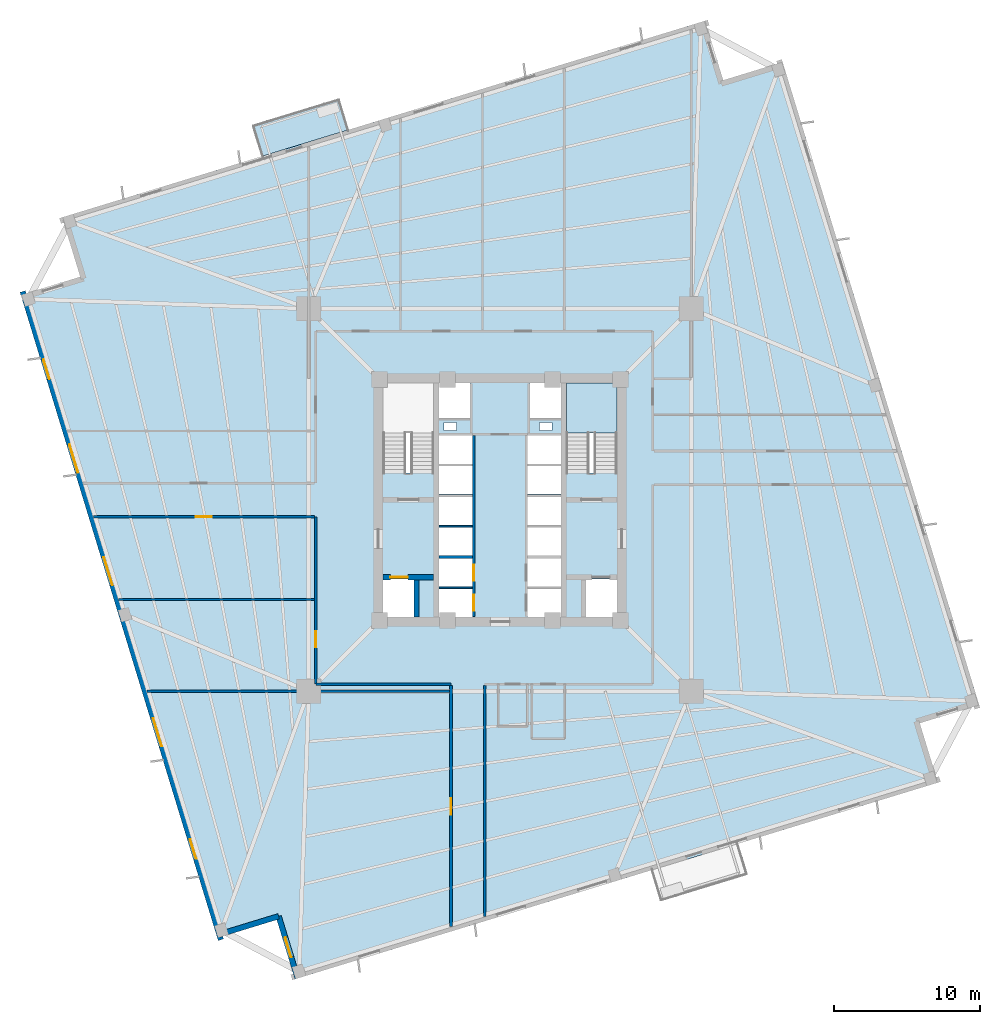
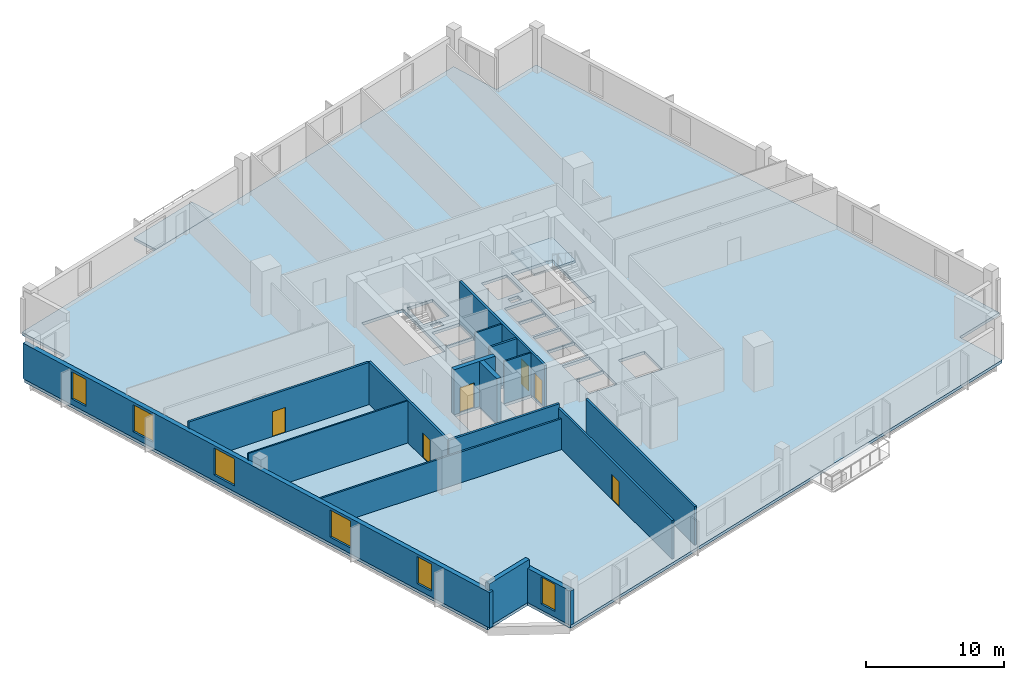
# One storey, part 2 of 8: 16 walls, 6 doors, 6 windows, 3 slabs, 12 openings, 1 element without a shape of its own.
"""IFC4 building model written with IfcOpenShell, lengths in metres."""

from ifc_helpers import new_model, si_unit, direction, frame, frame_2d, origin, place, context, subcontext, project, spatial, polyline, rectangle, outline, extrude, source, transform, mapped, material, layer, layer_set, type_object, element, fill, aggregate, save


model = new_model("IFC4")

# Units and contexts
model_context = context("Model", 3, precision=1e-05, world=origin(), true_north=direction((0.0, 1.0)))
body_context = subcontext(model_context, "Body", "Model", "MODEL_VIEW")
ifc_project = project(units=[si_unit("LENGTHUNIT", "METRE"), si_unit("AREAUNIT", "SQUARE_METRE"), si_unit("VOLUMEUNIT", "CUBIC_METRE"), si_unit("PLANEANGLEUNIT", "RADIAN"), si_unit("MASSUNIT", "GRAM", prefix="KILO"), si_unit("THERMODYNAMICTEMPERATUREUNIT", "KELVIN")], contexts=[model_context])

# Site, building, storey
site_placement = place(None, origin())
site = spatial("IfcSite", under=ifc_project, at=site_placement, CompositionType="ELEMENT")
building_placement = place(site_placement, origin())
building = spatial("IfcBuilding", under=site, at=building_placement, Name="Kosmvard Interchange Tower", CompositionType="ELEMENT")
storey_placement = place(building_placement, frame((0.0, 0.0, 87.199951171875)))
storey = spatial("IfcBuildingStorey", under=building, at=storey_placement, Name="L20", CompositionType="ELEMENT", Elevation=87.199951171875)

# Slab
ifc_material_1 = material(Name="Concrete C50/60", Category="concrete")
ifc_layer_1 = layer(ifc_material_1, 0.260009765625, Name="Concrete C50/60")
ifc_layer_set_1 = layer_set([ifc_layer_1], Name="Concrete C50/60")
slab_type_1 = type_object("IfcSlabType", Name="Mid-Rise Office Composite Slab 260 C50/60", PredefinedType="FLOOR", material=ifc_layer_set_1)
slab_1_placement = place(storey_placement, frame((0.0, 0.0, -0.260009765625)))
element("IfcSlab", 1, at=slab_1_placement, inside=storey, type_object=slab_type_1, Name="L20 Structural Floor Slab", PredefinedType="FLOOR", context=body_context, shape_type="SweptSolid", body=[
    extrude(outline(polyline([(-14.02783203125, -32.783935546875), (29.962158203125, -19.334716796875), (28.719482421875, -15.2705078125), (32.783935546875, -14.02783203125), (19.334716796875, 29.962158203125), (15.2705078125, 28.719482421875), (14.02783203125, 32.783935546875), (-29.962158203125, 19.334716796875), (-28.719482421875, 15.2705078125), (-32.783935546875, 14.02783203125), (-19.334716796875, -29.962158203125), (-15.2705078125, -28.719482421875), (-14.02783203125, -32.783935546875)]), holes=[polyline([(-8.0, 1.8349609375), (-4.5400390625, 1.8349609375), (-4.5400390625, 8.0), (-8.0, 8.0), (-8.0, 1.8349609375)]), polyline([(4.5400390625, 1.8349609375), (8.0, 1.8349609375), (8.0, 8.0), (4.5400390625, 8.0), (4.5400390625, 1.8349609375)]), polyline([(-8.0, -8.0), (-5.800048828125, -8.0), (-5.800048828125, -5.39990234375), (-8.0, -5.39990234375), (-8.0, -8.0)]), polyline([(5.800048828125, -8.0), (8.0, -8.0), (8.0, -5.39990234375), (5.800048828125, -5.39990234375), (5.800048828125, -8.0)]), polyline([(-4.179931640625, -8.0), (-1.8798828125, -8.0), (-1.8798828125, -6.06005859375), (-4.179931640625, -6.06005859375), (-4.179931640625, -8.0)]), polyline([(-4.179931640625, -5.93994140625), (-1.8798828125, -5.93994140625), (-1.8798828125, -4.0), (-4.179931640625, -4.0), (-4.179931640625, -5.93994140625)]), polyline([(1.8798828125, -8.0), (4.179931640625, -8.0), (4.179931640625, -6.06005859375), (1.8798828125, -6.06005859375), (1.8798828125, -8.0)]), polyline([(1.8798828125, -5.93994140625), (4.179931640625, -5.93994140625), (4.179931640625, -4.0), (1.8798828125, -4.0), (1.8798828125, -5.93994140625)]), polyline([(-4.179931640625, -3.800048828125), (-1.8798828125, -3.800048828125), (-1.8798828125, -1.860107421875), (-4.179931640625, -1.860107421875), (-4.179931640625, -3.800048828125)]), polyline([(-4.179931640625, -1.739990234375), (-1.8798828125, -1.739990234375), (-1.8798828125, 0.199951171875), (-4.179931640625, 0.199951171875), (-4.179931640625, -1.739990234375)]), polyline([(1.8798828125, -3.800048828125), (4.179931640625, -3.800048828125), (4.179931640625, -1.860107421875), (1.8798828125, -1.860107421875), (1.8798828125, -3.800048828125)]), polyline([(1.8798828125, -1.739990234375), (4.179931640625, -1.739990234375), (4.179931640625, 0.199951171875), (1.8798828125, 0.199951171875), (1.8798828125, -1.739990234375)]), polyline([(-4.179931640625, 0.39990234375), (-1.8798828125, 0.39990234375), (-1.8798828125, 2.340087890625), (-4.179931640625, 2.340087890625), (-4.179931640625, 0.39990234375)]), polyline([(-4.179931640625, 2.4599609375), (-1.8798828125, 2.4599609375), (-1.8798828125, 4.39990234375), (-4.179931640625, 4.39990234375), (-4.179931640625, 2.4599609375)]), polyline([(1.8798828125, 0.39990234375), (4.179931640625, 0.39990234375), (4.179931640625, 2.340087890625), (1.8798828125, 2.340087890625), (1.8798828125, 0.39990234375)]), polyline([(1.8798828125, 2.4599609375), (4.179931640625, 2.4599609375), (4.179931640625, 4.39990234375), (1.8798828125, 4.39990234375), (1.8798828125, 2.4599609375)]), polyline([(-4.179931640625, 5.60009765625), (-2.0400390625, 5.60009765625), (-2.0400390625, 8.0), (-4.179931640625, 8.0), (-4.179931640625, 5.60009765625)]), polyline([(2.0400390625, 5.60009765625), (4.179931640625, 5.60009765625), (4.179931640625, 8.0), (2.0400390625, 8.0), (2.0400390625, 5.60009765625)]), polyline([(-3.81494140625, 4.739990234375), (-2.965087890625, 4.739990234375), (-2.965087890625, 5.2900390625), (-3.81494140625, 5.2900390625), (-3.81494140625, 4.739990234375)]), polyline([(2.715087890625, 4.739990234375), (3.56494140625, 4.739990234375), (3.56494140625, 5.2900390625), (2.715087890625, 5.2900390625), (2.715087890625, 4.739990234375)])]), origin(), (0.0, 0.0, 1.0), 0.260009765625),
])

# Stair, slab
stair_type = type_object("IfcStairType", Name="Dog-Leg Core Exit Stair H4000 C50/60", PredefinedType="HALF_TURN_STAIR", material=ifc_material_1)
stair_placement = place(storey_placement, origin())
stair = element("IfcStair", 2, at=stair_placement, inside=storey, type_object=stair_type, Name="L20 Protected Exit Stair ST-2", PredefinedType="HALF_TURN_STAIR")
ifc_layer_2 = layer(ifc_material_1, 0.199951171875, Name="Concrete C50/60")
ifc_layer_set_2 = layer_set([ifc_layer_2], Name="Concrete C50/60")
slab_type_2 = type_object("IfcSlabType", Name="Stair Half-Landing Slab 200 C50/60", PredefinedType="LANDING", material=ifc_layer_set_2)
slab_2_placement = place(storey_placement, frame((0.0, 0.0, 1.800048828125)))
slab_2 = element("IfcSlab", 3, at=slab_2_placement, type_object=slab_type_2, Name="ST-2 landing 1", PredefinedType="LANDING", context=body_context, shape_type="SweptSolid", body=[
    extrude(outline(polyline([(8.0, 4.60009765625), (8.0, 8.0), (4.5400390625, 8.0), (4.5400390625, 4.60009765625), (8.0, 4.60009765625)])), origin(), (0.0, 0.0, 1.0), 0.199951171875),
])
aggregate(stair, [slab_2])

# Slab
ifc_layer_3 = layer(ifc_material_1, 0.22998046875, Name="Concrete C50/60")
ifc_layer_set_3 = layer_set([ifc_layer_3], Name="Concrete C50/60")
slab_type_3 = type_object("IfcSlabType", Name="Tree-Planter Cantilever Balcony Slab 230 C50/60", PredefinedType="FLOOR", material=ifc_layer_set_3)
slab_3_placement = place(storey_placement, frame((0.0, 0.0, -0.22998046875)))
element("IfcSlab", 4, at=slab_3_placement, inside=storey, type_object=slab_type_3, Name="L20 Outdoor Terrace Balcony Slab BAL-L20-NE", PredefinedType="FLOOR", context=body_context, shape_type="SweptSolid", body=[
    extrude(outline(polyline([(-16.286865234375, 23.515625), (-10.35791015625, 25.328369140625), (-11.001220703125, 27.43212890625), (-16.93017578125, 25.61962890625), (-16.286865234375, 23.515625)])), origin(), (0.0, 0.0, 1.0), 0.22998046875),
])

# Wall
ifc_material_2 = material(Name="Acoustic gypsum partition system")
ifc_layer_4 = layer(ifc_material_2, 0.14990234375, Name="Acoustic gypsum partition system")
ifc_layer_set_4 = layer_set([ifc_layer_4], Name="Acoustic gypsum partition system")
wall_type_1 = type_object("IfcWallType", Name="Acoustic Suite & Meeting Partition 150", PredefinedType="PARTITIONING", material=ifc_layer_set_4)
wall_1_placement = place(storey_placement, frame((-24.16650390625, -13.0810546875, 0.0), z_axis=(0.0, 0.0, 1.0), x_axis=(1.0, 0.0, 0.0)))
element("IfcWall", 5, at=wall_1_placement, inside=storey, type_object=wall_type_1, Name="L20 Room Partition 10.1", PredefinedType="PARTITIONING", context=body_context, shape_type="SweptSolid", body=[
    extrude(rectangle(XDim=20.721435546875, YDim=0.14990234375, at=frame_2d((10.36083984375, 0.0))), origin(), (0.0, 0.0, 1.0), 2.73193359375),
])

# Wall, openings, doors
ifc_material_3 = material(Name="Fire-rated gypsum partition system")
ifc_layer_5 = layer(ifc_material_3, 0.179931640625, Name="Fire-rated gypsum partition system")
ifc_layer_set_5 = layer_set([ifc_layer_5], Name="Fire-rated gypsum partition system")
wall_type_2 = type_object("IfcWallType", Name="Corridor & Hotel Compartment Partition 180", PredefinedType="PARTITIONING", material=ifc_layer_set_5)
wall_2_placement = place(storey_placement, frame((-1.7900390625, -7.97998046875, 0.0), z_axis=(0.0, 0.0, 1.0), x_axis=(0.0, 1.0, 0.0)))
wall_2 = element("IfcWall", 6, at=wall_2_placement, inside=storey, type_object=wall_type_2, Name="L20 West Lift Bank Front Wall", PredefinedType="PARTITIONING", context=body_context, shape_type="SweptSolid", body=[
    extrude(rectangle(XDim=12.3798828125, YDim=0.179931640625, at=frame_2d((6.18994140625, 0.0))), origin(), (0.0, 0.0, 1.0), 3.739990234375),
])
opening_1_placement = place(wall_2_placement, frame((0.39990234375, 0.0, 0.0)))
opening_1 = element("IfcOpeningElement", 7, at=opening_1_placement, cuts=wall_2, Name="Opening LD-PL-L1-L20", PredefinedType="OPENING", context=body_context, shape_type="SweptSolid", body=[
    extrude(rectangle(XDim=1.10009765625, YDim=2.199951171875, at=frame_2d((0.550048828125, 1.10009765625))), frame((0.0, 0.10009765625, 0.0), z_axis=(0.0, -1.0, 0.0), x_axis=(1.0, 0.0, 0.0)), (0.0, 0.0, 1.0), 0.199951171875),
])
opening_2_placement = place(wall_2_placement, frame((2.4599609375, 0.0, 0.0)))
opening_2 = element("IfcOpeningElement", 8, at=opening_2_placement, cuts=wall_2, Name="Opening LD-PL-L2-L20", PredefinedType="OPENING", context=body_context, shape_type="SweptSolid", body=[
    extrude(rectangle(XDim=1.10009765625, YDim=2.199951171875, at=frame_2d((0.550048828125, 1.10009765625))), frame((0.0, 0.10009765625, 0.0), z_axis=(0.0, -1.0, 0.0), x_axis=(1.0, 0.0, 0.0)), (0.0, 0.0, 1.0), 0.199951171875),
])
ifc_material_4 = material(Name="Brushed stainless steel sliding leaf", Category="steel")
door_type_1 = type_object("IfcDoorType", Name="Passenger Lift Sliding Landing Door 1100x2200 EI60", OperationType="DOUBLE_DOOR_SLIDING", PredefinedType="DOOR", material=ifc_material_4)
shared_shape_1 = source(origin(), body_context, "Body", "SweptSolid", [
    extrude(rectangle(XDim=1.10009765625, YDim=2.199951171875, at=frame_2d((0.550048828125, 1.10009765625))), frame((0.0, 0.02490234375, 0.0), z_axis=(0.0, -1.0, 0.0), x_axis=(1.0, 0.0, 0.0)), (0.0, 0.0, 1.0), 0.050048828125),
])
door_1_placement = place(opening_1_placement, frame((1.10009765625, 0.0, 0.0), z_axis=(0.0, 0.0, 1.0), x_axis=(-1.0, 0.0, 0.0)))
door_1 = element("IfcDoor", 9, at=door_1_placement, inside=storey, type_object=door_type_1, Name="Lift PL-L1 Landing Door L20", OperationType="DOUBLE_DOOR_SLIDING", OverallHeight=2.199951171875, OverallWidth=1.10009765625, PredefinedType="DOOR", context=body_context, shape_type="MappedRepresentation", body=[
    mapped(shared_shape_1, transform((0.0, 0.0, 0.0), scale=1.0)),
])
fill(opening_1, door_1)
door_2_placement = place(opening_2_placement, frame((1.10009765625, 0.0, 0.0), z_axis=(0.0, 0.0, 1.0), x_axis=(-1.0, 0.0, 0.0)))
door_2 = element("IfcDoor", 10, at=door_2_placement, inside=storey, type_object=door_type_1, Name="Lift PL-L2 Landing Door L20", OperationType="DOUBLE_DOOR_SLIDING", OverallHeight=2.199951171875, OverallWidth=1.10009765625, PredefinedType="DOOR", context=body_context, shape_type="MappedRepresentation", body=[
    mapped(shared_shape_1, transform((0.0, 0.0, 0.0), scale=1.0)),
])
fill(opening_2, door_2)

# Wall
wall_3_placement = place(storey_placement, frame((-12.60009765625, -12.60009765625, 0.0), z_axis=(0.0, 0.0, 1.0), x_axis=(1.0, 0.0, 0.0)))
element("IfcWall", 11, at=wall_3_placement, inside=storey, type_object=wall_type_2, Name="L20 Corridor Wall CSW", PredefinedType="PARTITIONING", context=body_context, shape_type="SweptSolid", body=[
    extrude(rectangle(XDim=9.25, YDim=0.179931640625, at=frame_2d((4.625, 0.0))), origin(), (0.0, 0.0, 1.0), 3.739990234375),
])

# Wall, opening, door
wall_4_placement = place(storey_placement, frame((-12.60009765625, -12.60009765625, 0.0), z_axis=(0.0, 0.0, 1.0), x_axis=(0.0, 1.0, 0.0)))
wall_4 = element("IfcWall", 12, at=wall_4_placement, inside=storey, type_object=wall_type_2, Name="L20 Corridor Wall CWS", PredefinedType="PARTITIONING", context=body_context, shape_type="SweptSolid", body=[
    extrude(rectangle(XDim=11.4501953125, YDim=0.179931640625, at=frame_2d((5.72509765625, 0.0))), origin(), (0.0, 0.0, 1.0), 3.739990234375),
])
opening_3_placement = place(wall_4_placement, frame((2.514404296875, 0.0, 0.0)))
opening_3 = element("IfcOpeningElement", 13, at=opening_3_placement, cuts=wall_4, Name="Opening L20-D13", PredefinedType="OPENING", context=body_context, shape_type="SweptSolid", body=[
    extrude(rectangle(XDim=1.10009765625, YDim=2.199951171875, at=frame_2d((0.550048828125, 1.10009765625))), frame((0.0, 0.10009765625, 0.0), z_axis=(0.0, -1.0, 0.0), x_axis=(1.0, 0.0, 0.0)), (0.0, 0.0, 1.0), 0.199951171875),
])
ifc_material_5 = material(Name="Engineered oak fire-rated timber", Category="wood")
door_type_2 = type_object("IfcDoorType", Name="Office Suite Entrance Door 1100x2200 FD30S", OperationType="NOTDEFINED", PredefinedType="DOOR", material=ifc_material_5)
door_3_placement = place(opening_3_placement, origin())
door_3 = element("IfcDoor", 14, at=door_3_placement, inside=storey, type_object=door_type_2, Name="L20 West Counsel Office 8 Door", OperationType="SINGLE_SWING_LEFT", OverallHeight=2.199951171875, OverallWidth=1.10009765625, PredefinedType="DOOR", context=body_context, shape_type="MappedRepresentation", body=[
    mapped(shared_shape_1, transform((0.0, 0.0, 0.0), scale=1.0)),
])
fill(opening_3, door_3)

wall_5_placement = place(storey_placement, frame((-27.814208984375, -1.14990234375, 0.0), z_axis=(0.0, 0.0, 1.0), x_axis=(1.0, 0.0, 0.0)))
wall_5 = element("IfcWall", 15, at=wall_5_placement, inside=storey, type_object=wall_type_2, Name="L20 Corridor Wall SWS", PredefinedType="PARTITIONING", context=body_context, shape_type="SweptSolid", body=[
    extrude(rectangle(XDim=15.1142578125, YDim=0.179931640625, at=frame_2d((7.55712890625, 0.0))), origin(), (0.0, 0.0, 1.0), 3.739990234375),
])
opening_4_placement = place(wall_5_placement, frame((7.007080078125, 0.0, 0.0)))
opening_4 = element("IfcOpeningElement", 16, at=opening_4_placement, cuts=wall_5, Name="Opening L20-D12", PredefinedType="OPENING", context=body_context, shape_type="SweptSolid", body=[
    extrude(rectangle(XDim=1.10009765625, YDim=2.199951171875, at=frame_2d((0.550048828125, 1.10009765625))), frame((0.0, 0.10009765625, 0.0), z_axis=(0.0, -1.0, 0.0), x_axis=(1.0, 0.0, 0.0)), (0.0, 0.0, 1.0), 0.199951171875),
])
door_4_placement = place(opening_4_placement, frame((1.10009765625, 0.0, 0.0), z_axis=(0.0, 0.0, 1.0), x_axis=(-1.0, 0.0, 0.0)))
door_4 = element("IfcDoor", 17, at=door_4_placement, inside=storey, type_object=door_type_2, Name="L20 Staff Breakout Pantry Door", OperationType="SINGLE_SWING_RIGHT", OverallHeight=2.199951171875, OverallWidth=1.10009765625, PredefinedType="DOOR", context=body_context, shape_type="MappedRepresentation", body=[
    mapped(shared_shape_1, transform((0.0, 0.0, 0.0), scale=1.0)),
])
fill(opening_4, door_4)

wall_6_placement = place(storey_placement, frame((-3.35009765625, -29.18994140625, 0.0), z_axis=(0.0, 0.0, 1.0), x_axis=(0.0, 1.0, 0.0)))
wall_6 = element("IfcWall", 18, at=wall_6_placement, inside=storey, type_object=wall_type_2, Name="L20 Corridor Wall SSW", PredefinedType="PARTITIONING", context=body_context, shape_type="SweptSolid", body=[
    extrude(rectangle(XDim=16.489990234375, YDim=0.179931640625, at=frame_2d((8.2451171875, 0.0))), origin(), (0.0, 0.0, 1.0), 3.41015625),
])
opening_5_placement = place(wall_6_placement, frame((7.6689453125, 0.0, 0.0)))
opening_5 = element("IfcOpeningElement", 19, at=opening_5_placement, cuts=wall_6, Name="Opening L20-D14", PredefinedType="OPENING", context=body_context, shape_type="SweptSolid", body=[
    extrude(rectangle(XDim=1.10009765625, YDim=2.199951171875, at=frame_2d((0.550048828125, 1.10009765625))), frame((0.0, 0.10009765625, 0.0), z_axis=(0.0, -1.0, 0.0), x_axis=(1.0, 0.0, 0.0)), (0.0, 0.0, 1.0), 0.199951171875),
])
door_5_placement = place(opening_5_placement, origin())
door_5 = element("IfcDoor", 20, at=door_5_placement, inside=storey, type_object=door_type_2, Name="L20 South-West Director Office Door", OperationType="SINGLE_SWING_RIGHT", OverallHeight=2.199951171875, OverallWidth=1.10009765625, PredefinedType="DOOR", context=body_context, shape_type="MappedRepresentation", body=[
    mapped(shared_shape_1, transform((0.0, 0.0, 0.0), scale=1.0)),
])
fill(opening_5, door_5)

# Wall
wall_7_placement = place(storey_placement, frame((-1.050048828125, -28.48681640625, 0.0), z_axis=(0.0, 0.0, 1.0), x_axis=(0.0, 1.0, 0.0)))
element("IfcWall", 21, at=wall_7_placement, inside=storey, type_object=wall_type_2, Name="L20 Corridor Wall SSE", PredefinedType="PARTITIONING", context=body_context, shape_type="SweptSolid", body=[
    extrude(rectangle(XDim=15.786865234375, YDim=0.179931640625, at=frame_2d((7.8935546875, 0.0))), origin(), (0.0, 0.0, 1.0), 3.41015625),
])

# Wall, openings, windows
ifc_material_6 = material(Name="Precast concrete C45/55", Category="concrete")
ifc_layer_6 = layer(ifc_material_6, 0.3798828125, Name="Precast concrete C45/55")
ifc_layer_set_6 = layer_set([ifc_layer_6], Name="Precast concrete C45/55")
wall_type_3 = type_object("IfcWallType", Name="Lower Tower Precast Pier Wall 380 C45/55", PredefinedType="STANDARD", material=ifc_layer_set_6)
wall_8_placement = place(storey_placement, frame((-32.65771484375, 14.26513671875, 0.0), z_axis=(0.0, 0.0, 1.0), x_axis=(0.292373127906, -0.956304320851, 0.0)))
wall_8 = element("IfcWall", 22, at=wall_8_placement, inside=storey, type_object=wall_type_3, Name="L20 Precast Facade Wall F-W", PredefinedType="STANDARD", context=body_context, shape_type="SweptSolid", body=[
    extrude(rectangle(XDim=46.380126953125, YDim=0.3798828125, at=frame_2d((23.18994140625, 0.0))), origin(), (0.0, 0.0, 1.0), 3.14013671875),
])
opening_6_placement = place(wall_8_placement, frame((4.865478515625, 0.0, 0.510009765625)))
opening_6 = element("IfcOpeningElement", 23, at=opening_6_placement, cuts=wall_8, Name="Opening L20-W15", PredefinedType="OPENING", context=body_context, shape_type="SweptSolid", body=[
    extrude(rectangle(XDim=1.39990234375, YDim=2.39990234375, at=frame_2d((0.699951171875, 1.199951171875))), frame((0.0, 0.199951171875, 0.0), z_axis=(0.0, -1.0, 0.0), x_axis=(1.0, 0.0, 0.0)), (0.0, 0.0, 1.0), 0.39990234375),
])
opening_7_placement = place(wall_8_placement, frame((10.9501953125, 0.0, 0.510009765625)))
opening_7 = element("IfcOpeningElement", 24, at=opening_7_placement, cuts=wall_8, Name="Opening L20-W16", PredefinedType="OPENING", context=body_context, shape_type="SweptSolid", body=[
    extrude(rectangle(XDim=2.0, YDim=2.39990234375, at=frame_2d((1.0, 1.199951171875))), frame((0.0, 0.199951171875, 0.0), z_axis=(0.0, -1.0, 0.0), x_axis=(1.0, 0.0, 0.0)), (0.0, 0.0, 1.0), 0.39990234375),
])
opening_8_placement = place(wall_8_placement, frame((19.012451171875, 0.0, 0.510009765625)))
opening_8 = element("IfcOpeningElement", 25, at=opening_8_placement, cuts=wall_8, Name="Opening L20-W17", PredefinedType="OPENING", context=body_context, shape_type="SweptSolid", body=[
    extrude(rectangle(XDim=2.0, YDim=2.39990234375, at=frame_2d((1.0, 1.199951171875))), frame((0.0, 0.199951171875, 0.0), z_axis=(0.0, -1.0, 0.0), x_axis=(1.0, 0.0, 0.0)), (0.0, 0.0, 1.0), 0.39990234375),
])
opening_9_placement = place(wall_8_placement, frame((30.538330078125, 0.0, 0.510009765625)))
opening_9 = element("IfcOpeningElement", 26, at=opening_9_placement, cuts=wall_8, Name="Opening L20-W18", PredefinedType="OPENING", context=body_context, shape_type="SweptSolid", body=[
    extrude(rectangle(XDim=2.0, YDim=2.39990234375, at=frame_2d((1.0, 1.199951171875))), frame((0.0, 0.199951171875, 0.0), z_axis=(0.0, -1.0, 0.0), x_axis=(1.0, 0.0, 0.0)), (0.0, 0.0, 1.0), 0.39990234375),
])
opening_10_placement = place(wall_8_placement, frame((39.186767578125, 0.0, 0.510009765625)))
opening_10 = element("IfcOpeningElement", 27, at=opening_10_placement, cuts=wall_8, Name="Opening L20-W19", PredefinedType="OPENING", context=body_context, shape_type="SweptSolid", body=[
    extrude(rectangle(XDim=1.39990234375, YDim=2.39990234375, at=frame_2d((0.699951171875, 1.199951171875))), frame((0.0, 0.199951171875, 0.0), z_axis=(0.0, -1.0, 0.0), x_axis=(1.0, 0.0, 0.0)), (0.0, 0.0, 1.0), 0.39990234375),
])
ifc_material_7 = material(Name="Low-E solar-control double glazing", Category="glass")
window_type_1 = type_object("IfcWindowType", Name="Notched Corner Feature Window 1400x2400", PartitioningType="SINGLE_PANEL", PredefinedType="WINDOW", material=ifc_material_7)
shared_shape_2 = source(origin(), body_context, "Body", "SweptSolid", [
    extrude(rectangle(XDim=1.39990234375, YDim=2.39990234375, at=frame_2d((0.699951171875, 1.199951171875))), frame((0.0, 0.030029296875, 0.0), z_axis=(0.0, -1.0, 0.0), x_axis=(1.0, 0.0, 0.0)), (0.0, 0.0, 1.0), 0.06005859375),
])
window_1_placement = place(opening_6_placement, origin())
window_1 = element("IfcWindow", 28, at=window_1_placement, inside=storey, type_object=window_type_1, Name="L20 Facade Punched Window 15", OverallHeight=2.39990234375, OverallWidth=1.39990234375, PartitioningType="SINGLE_PANEL", PredefinedType="WINDOW", context=body_context, shape_type="MappedRepresentation", body=[
    mapped(shared_shape_2, transform((0.0, 0.0, 0.0), scale=1.0)),
])
fill(opening_6, window_1)
window_2_placement = place(opening_10_placement, origin())
window_2 = element("IfcWindow", 29, at=window_2_placement, inside=storey, type_object=window_type_1, Name="L20 Facade Punched Window 19", OverallHeight=2.39990234375, OverallWidth=1.39990234375, PartitioningType="SINGLE_PANEL", PredefinedType="WINDOW", context=body_context, shape_type="MappedRepresentation", body=[
    mapped(shared_shape_2, transform((0.0, 0.0, 0.0), scale=1.0)),
])
fill(opening_10, window_2)
window_type_2 = type_object("IfcWindowType", Name="Zone 2 Office Punched Window 2000x2400", PartitioningType="SINGLE_PANEL", PredefinedType="WINDOW", material=ifc_material_7)
shared_shape_3 = source(origin(), body_context, "Body", "SweptSolid", [
    extrude(rectangle(XDim=2.0, YDim=2.39990234375, at=frame_2d((1.0, 1.199951171875))), frame((0.0, 0.030029296875, 0.0), z_axis=(0.0, -1.0, 0.0), x_axis=(1.0, 0.0, 0.0)), (0.0, 0.0, 1.0), 0.06005859375),
])
window_3_placement = place(opening_7_placement, origin())
window_3 = element("IfcWindow", 30, at=window_3_placement, inside=storey, type_object=window_type_2, Name="L20 Facade Punched Window 16", OverallHeight=2.39990234375, OverallWidth=2.0, PartitioningType="SINGLE_PANEL", PredefinedType="WINDOW", context=body_context, shape_type="MappedRepresentation", body=[
    mapped(shared_shape_3, transform((0.0, 0.0, 0.0), scale=1.0)),
])
fill(opening_7, window_3)
window_4_placement = place(opening_8_placement, origin())
window_4 = element("IfcWindow", 31, at=window_4_placement, inside=storey, type_object=window_type_2, Name="L20 Facade Punched Window 17", OverallHeight=2.39990234375, OverallWidth=2.0, PartitioningType="SINGLE_PANEL", PredefinedType="WINDOW", context=body_context, shape_type="MappedRepresentation", body=[
    mapped(shared_shape_3, transform((0.0, 0.0, 0.0), scale=1.0)),
])
fill(opening_8, window_4)
window_5_placement = place(opening_9_placement, origin())
window_5 = element("IfcWindow", 32, at=window_5_placement, inside=storey, type_object=window_type_2, Name="L20 Facade Punched Window 18", OverallHeight=2.39990234375, OverallWidth=2.0, PartitioningType="SINGLE_PANEL", PredefinedType="WINDOW", context=body_context, shape_type="MappedRepresentation", body=[
    mapped(shared_shape_3, transform((0.0, 0.0, 0.0), scale=1.0)),
])
fill(opening_9, window_5)

# Wall
wall_9_placement = place(storey_placement, frame((-19.20849609375, -29.724853515625, 0.0), z_axis=(0.0, 0.0, 1.0), x_axis=(0.956312764915, 0.292345507338, 0.0)))
element("IfcWall", 33, at=wall_9_placement, inside=storey, type_object=wall_type_3, Name="L20 Precast Facade Wall N-SW1", PredefinedType="STANDARD", context=body_context, shape_type="SweptSolid", body=[
    extrude(rectangle(XDim=4.249755859375, YDim=0.3798828125, at=frame_2d((2.125, 0.0))), origin(), (0.0, 0.0, 1.0), 3.739990234375),
])

# Wall, opening, window
wall_10_placement = place(storey_placement, frame((-15.144287109375, -28.482421875, 0.0), z_axis=(0.0, 0.0, 1.0), x_axis=(0.292373601522, -0.956304176051, 0.0)))
wall_10 = element("IfcWall", 34, at=wall_10_placement, inside=storey, type_object=wall_type_3, Name="L20 Precast Facade Wall N-SW2", PredefinedType="STANDARD", context=body_context, shape_type="SweptSolid", body=[
    extrude(rectangle(XDim=4.43994140625, YDim=0.3798828125, at=frame_2d((2.219970703125, 0.0))), origin(), (0.0, 0.0, 1.0), 3.0400390625),
])
opening_11_placement = place(wall_10_placement, frame((1.52001953125, 0.0, 0.510009765625)))
opening_11 = element("IfcOpeningElement", 35, at=opening_11_placement, cuts=wall_10, Name="Opening L20-W23", PredefinedType="OPENING", context=body_context, shape_type="SweptSolid", body=[
    extrude(rectangle(XDim=1.39990234375, YDim=2.39990234375, at=frame_2d((0.699951171875, 1.199951171875))), frame((0.0, 0.199951171875, 0.0), z_axis=(0.0, -1.0, 0.0), x_axis=(1.0, 0.0, 0.0)), (0.0, 0.0, 1.0), 0.39990234375),
])
window_6_placement = place(opening_11_placement, origin())
window_6 = element("IfcWindow", 36, at=window_6_placement, inside=storey, type_object=window_type_1, Name="L20 Corner Notch Window 23", OverallHeight=2.39990234375, OverallWidth=1.39990234375, PartitioningType="SINGLE_PANEL", PredefinedType="WINDOW", context=body_context, shape_type="MappedRepresentation", body=[
    mapped(shared_shape_2, transform((0.0, 0.0, 0.0), scale=1.0)),
])
fill(opening_11, window_6)

# Walls
ifc_material_8 = material(Name="Gypsum board partition system")
ifc_layer_7 = layer(ifc_material_8, 0.1201171875, Name="Gypsum board partition system")
ifc_layer_set_7 = layer_set([ifc_layer_7], Name="Gypsum board partition system")
wall_type_4 = type_object("IfcWallType", Name="Office Cellular Partition 120", PredefinedType="PARTITIONING", material=ifc_layer_set_7)
wall_11_placement = place(storey_placement, frame((-26.086669921875, -6.800048828125, 0.0), z_axis=(0.0, 0.0, 1.0), x_axis=(1.0, 0.0, 0.0)))
element("IfcWall", 37, at=wall_11_placement, inside=storey, type_object=wall_type_4, Name="L20 Room Partition 11.1", PredefinedType="PARTITIONING", context=body_context, shape_type="SweptSolid", body=[
    extrude(rectangle(XDim=13.3916015625, YDim=0.1201171875, at=frame_2d((6.69580078125, 0.0))), origin(), (0.0, 0.0, 1.0), 3.739990234375),
])
ifc_material_9 = material(Name="Concrete blockwork masonry", Category="masonry")
ifc_layer_8 = layer(ifc_material_9, 0.179931640625, Name="Concrete blockwork masonry")
ifc_layer_set_8 = layer_set([ifc_layer_8], Name="Concrete blockwork masonry")
wall_type_5 = type_object("IfcWallType", Name="Riser & Lift Bank Divider Wall 180", PredefinedType="PARTITIONING", material=ifc_layer_set_8)
wall_12_placement = place(storey_placement, frame((-4.169921875, -3.89990234375, 0.0), z_axis=(0.0, 0.0, 1.0), x_axis=(1.0, 0.0, 0.0)))
element("IfcWall", 38, at=wall_12_placement, inside=storey, type_object=wall_type_5, Name="L20 West Bank Divider BD1", PredefinedType="PARTITIONING", context=body_context, shape_type="SweptSolid", body=[
    extrude(rectangle(XDim=2.280029296875, YDim=0.179931640625, at=frame_2d((1.14013671875, 0.0))), origin(), (0.0, 0.0, 1.0), 3.739990234375),
])
ifc_material_10 = material(Name="Fire-rated gypsum shaftwall system")
ifc_layer_9 = layer(ifc_material_10, 0.1201171875, Name="Fire-rated gypsum shaftwall system")
ifc_layer_set_9 = layer_set([ifc_layer_9], Name="Fire-rated gypsum shaftwall system")
wall_type_6 = type_object("IfcWallType", Name="Shaft & Riser Fire Partition 120 EI60", PredefinedType="PARTITIONING", material=ifc_layer_set_9)
for number, where, z_axis, x_axis, name in (
    (39, (-4.159912109375, -6.0, 0.0), (0.0, 0.0, 1.0), (1.0, 0.0, 0.0), "L20 Shaft Divider PL-L1"),
    (40, (-4.159912109375, -1.800048828125, 0.0), (0.0, 0.0, 1.0), (1.0, 0.0, 0.0), "L20 Shaft Divider PL-M1"),
):
    element("IfcWall", number, at=place(storey_placement, frame(where, z_axis=z_axis, x_axis=x_axis)), inside=storey, type_object=wall_type_6, Name=name, PredefinedType="PARTITIONING", context=body_context, shape_type="SweptSolid", body=[
        extrude(rectangle(XDim=2.260009765625, YDim=0.1201171875, at=frame_2d((1.1298828125, 0.0))), origin(), (0.0, 0.0, 1.0), 3.739990234375),
    ])

# Wall, opening, door
ifc_material_11 = material(Name="Concrete C60/75", Category="concrete")
ifc_layer_10 = layer(ifc_material_11, 0.360107421875, Name="Concrete C60/75")
ifc_layer_set_10 = layer_set([ifc_layer_10], Name="Concrete C60/75")
wall_type_7 = type_object("IfcWallType", Name="Stair & Lift Shaft Shear Wall 360 C60/75", PredefinedType="SHEAR", material=ifc_layer_set_10)
wall_13_placement = place(storey_placement, frame((-8.0, -5.280029296875, 0.0), z_axis=(0.0, 0.0, 1.0), x_axis=(1.0, 0.0, 0.0)))
wall_13 = element("IfcWall", 41, at=wall_13_placement, inside=storey, type_object=wall_type_7, Name="L20 Shaft Shear Wall SW-FF1", PredefinedType="SHEAR", context=body_context, shape_type="SweptSolid", body=[
    extrude(rectangle(XDim=3.4599609375, YDim=0.360107421875, at=frame_2d((1.72998046875, 0.0))), origin(), (0.0, 0.0, 1.0), 4.0),
])
opening_12_placement = place(wall_13_placement, frame((0.5, 0.0, 0.0)))
opening_12 = element("IfcOpeningElement", 42, at=opening_12_placement, cuts=wall_13, Name="Opening LD-FF-1-L20", PredefinedType="OPENING", context=body_context, shape_type="SweptSolid", body=[
    extrude(rectangle(XDim=1.199951171875, YDim=2.25, at=frame_2d((0.60009765625, 1.125))), frame((0.0, 0.18994140625, 0.0), z_axis=(0.0, -1.0, 0.0), x_axis=(1.0, 0.0, 0.0)), (0.0, 0.0, 1.0), 0.380126953125),
])
door_type_3 = type_object("IfcDoorType", Name="Firefighting Lift Sliding Landing Door 1200x2250 EI120", OperationType="DOUBLE_DOOR_SLIDING", PredefinedType="DOOR", material=ifc_material_4)
shared_shape_4 = source(origin(), body_context, "Body", "SweptSolid", [
    extrude(rectangle(XDim=1.199951171875, YDim=2.25, at=frame_2d((0.60009765625, 1.125))), frame((0.0, 0.02490234375, 0.0), z_axis=(0.0, -1.0, 0.0), x_axis=(1.0, 0.0, 0.0)), (0.0, 0.0, 1.0), 0.050048828125),
])
door_6_placement = place(opening_12_placement, origin())
door_6 = element("IfcDoor", 43, at=door_6_placement, inside=storey, type_object=door_type_3, Name="Lift FF-1 Landing Door L20", OperationType="DOUBLE_DOOR_SLIDING", OverallHeight=2.25, OverallWidth=1.199951171875, PredefinedType="DOOR", context=body_context, shape_type="MappedRepresentation", body=[
    mapped(shared_shape_4, transform((0.0, 0.0, 0.0), scale=1.0)),
])
fill(opening_12, door_6)

# Wall
wall_14_placement = place(storey_placement, frame((-5.7099609375, -8.0, 0.0), z_axis=(0.0, 0.0, 1.0), x_axis=(0.0, 1.0, 0.0)))
element("IfcWall", 44, at=wall_14_placement, inside=storey, type_object=wall_type_7, Name="L20 Shaft Shear Wall SW-SM1", PredefinedType="SHEAR", context=body_context, shape_type="SweptSolid", body=[
    extrude(rectangle(XDim=2.5400390625, YDim=0.360107421875, at=frame_2d((1.27001953125, 0.0))), origin(), (0.0, 0.0, 1.0), 4.0),
])

save(model, "model.ifc")
